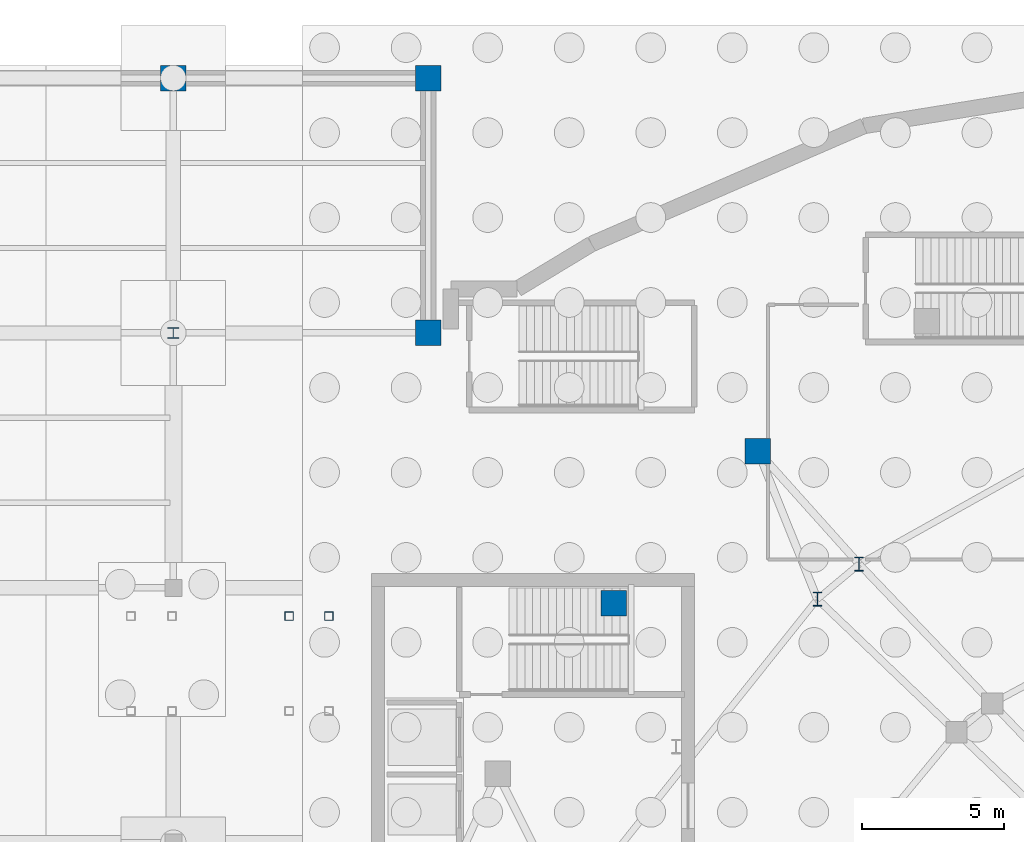
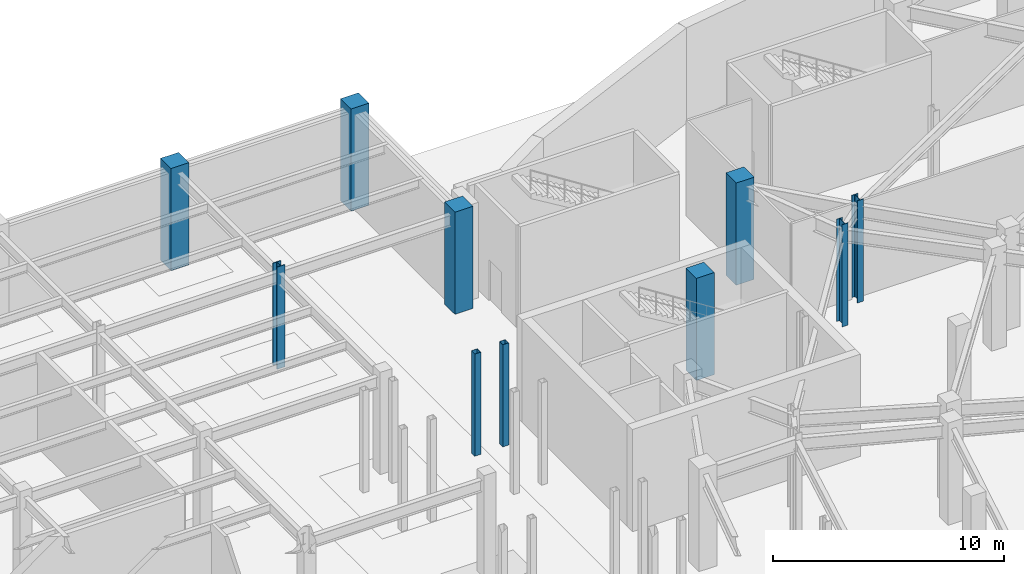
# One storey, part 20 of 56: 10 columns.
"""IFC4 building model written with IfcOpenShell, lengths in metres."""

from ifc_helpers import new_model, si_unit, direction, frame, origin, origin_2d, place, context, subcontext, project, spatial, rectangle, hollow_rectangle, i_section, extrude, material, material_profile, profile_set, type_object, element, save


model = new_model("IFC4")

# Units and contexts
model_context = context("Model", 3, precision=1e-05, world=origin(), true_north=direction((0.0, 1.0)))
body_context = subcontext(model_context, "Body", "Model", "MODEL_VIEW")
ifc_project = project(units=[si_unit("LENGTHUNIT", "METRE"), si_unit("AREAUNIT", "SQUARE_METRE"), si_unit("VOLUMEUNIT", "CUBIC_METRE"), si_unit("PLANEANGLEUNIT", "RADIAN"), si_unit("MASSUNIT", "GRAM", prefix="KILO")], contexts=[model_context])

# Site, building, storey
site_placement = place(None, origin())
site = spatial("IfcSite", under=ifc_project, at=site_placement, CompositionType="ELEMENT")
building_placement = place(site_placement, origin())
building = spatial("IfcBuilding", under=site, at=building_placement, Name="Glasvene Arena", CompositionType="ELEMENT")
storey_placement = place(building_placement, frame((0.0, 0.0, -5.39990234375)))
storey = spatial("IfcBuildingStorey", under=building, at=storey_placement, Name="B1", CompositionType="ELEMENT", Elevation=-5.39990234375)

# Columns
ifc_material_1 = material(Name="Concrete C40/50", Category="concrete")
ifc_material_profile_1 = material_profile(ifc_material_1, rectangle(XDim=0.89990234375, YDim=0.89990234375, at=origin_2d()), Name="RC 900x900")
ifc_profile_set_1 = profile_set([ifc_material_profile_1], Name="Concrete C40/50")
column_type_1 = type_object("IfcColumnType", Name="COL-BOWL-RC900", PredefinedType="COLUMN", material=ifc_profile_set_1)
for number, where, z_axis, x_axis, name in (
    (1, (56.644775390625, 104.81982421875, 0.0), (0.0, 0.0, 1.0), (1.0, 0.0, 0.0), "Bowl ring column R16 B1"),
    (2, (51.54931640625, 99.4501953125, 0.0), (0.0, 0.0, 1.0), (1.0, 0.0, 0.0), "Bowl ring column R17 B1"),
    (3, (36.0, 118.0, 0.0), (0.0, 0.0, 1.0), (1.0, 0.0, 0.0), "Grid column 5-14 B1"),
    (4, (45.0, 109.0, 0.0), (0.0, 0.0, 1.0), (1.0, 0.0, 0.0), "Grid column 6-13 B1"),
    (5, (45.0, 118.0, 0.0), (0.0, 0.0, 1.0), (1.0, 0.0, 0.0), "Grid column 6-14 B1"),
):
    element("IfcColumn", number, at=place(storey_placement, frame(where, z_axis=z_axis, x_axis=x_axis)), inside=storey, type_object=column_type_1, Name=name, PredefinedType="COLUMN", context=body_context, shape_type="SweptSolid", body=[
        extrude(rectangle(XDim=0.89990234375, YDim=0.89990234375, at=origin_2d()), origin(), (0.0, 0.0, 1.0), 5.39990234375),
    ])
ifc_material_2 = material(Name="Steel S355J2", Category="steel")
ifc_material_profile_2 = material_profile(ifc_material_2, i_section(OverallWidth=0.300048828125, OverallDepth=0.5, WebThickness=0.014404296875, FlangeThickness=0.028076171875, FilletRadius=0.027099609375, at=origin_2d()), Name="HEB 500")
ifc_profile_set_2 = profile_set([ifc_material_profile_2], Name="Steel S355J2")
column_type_2 = type_object("IfcColumnType", Name="COL-W-HEB500", PredefinedType="COLUMN", material=ifc_profile_set_2)
for number, where, z_axis, x_axis, name in (
    (6, (60.219482421875, 100.834228515625, 0.0), (0.0, 0.0, 1.0), (1.0, 0.0, 0.0), "Upper raker rear column B1 06-2"),
    (7, (58.743408203125, 99.59912109375, 0.0), (0.0, 0.0, 1.0), (1.0, 0.0, 0.0), "Upper raker rear column B1 07-1"),
):
    element("IfcColumn", number, at=place(storey_placement, frame(where, z_axis=z_axis, x_axis=x_axis)), inside=storey, type_object=column_type_2, Name=name, PredefinedType="COLUMN", context=body_context, shape_type="SweptSolid", body=[
        extrude(i_section(OverallWidth=0.300048828125, OverallDepth=0.5, WebThickness=0.014404296875, FlangeThickness=0.028076171875, FilletRadius=0.027099609375, at=origin_2d()), origin(), (0.0, 0.0, 1.0), 5.39990234375),
    ])
ifc_material_profile_3 = material_profile(ifc_material_2, hollow_rectangle(XDim=0.300048828125, YDim=0.300048828125, WallThickness=0.012451171875, at=origin_2d()), Name="SHS 300x300x12.5")
ifc_profile_set_3 = profile_set([ifc_material_profile_3], Name="Steel S355J2")
column_type_3 = type_object("IfcColumnType", Name="COL-W-SHS300", PredefinedType="COLUMN", material=ifc_profile_set_3)
for number, where, z_axis, x_axis, name in (
    (8, (40.090087890625, 99.0, 0.0), (0.0, 0.0, 1.0), (1.0, 0.0, 0.0), "Vomitory landing column VOM-06 B1"),
    (9, (41.489990234375, 99.0, 0.0), (0.0, 0.0, 1.0), (1.0, 0.0, 0.0), "Vomitory landing column VOM-06 B1"),
):
    element("IfcColumn", number, at=place(storey_placement, frame(where, z_axis=z_axis, x_axis=x_axis)), inside=storey, type_object=column_type_3, Name=name, PredefinedType="COLUMN", context=body_context, shape_type="SweptSolid", body=[
        extrude(hollow_rectangle(XDim=0.300048828125, YDim=0.300048828125, WallThickness=0.012451171875, at=origin_2d()), origin(), (0.0, 0.0, 1.0), 5.39990234375),
    ])
ifc_material_profile_4 = material_profile(ifc_material_2, i_section(OverallWidth=0.394775390625, OverallDepth=0.381103515625, WebThickness=0.018310546875, FlangeThickness=0.0302734375, FilletRadius=0.01513671875, at=origin_2d()), Name="UKC 356x406x235")
ifc_profile_set_4 = profile_set([ifc_material_profile_4], Name="Steel S355J2")
column_type_4 = type_object("IfcColumnType", Name="COL-W-UKC235", PredefinedType="COLUMN", material=ifc_profile_set_4)
column_placement = place(storey_placement, frame((36.0, 109.0, 0.0), z_axis=(0.0, 0.0, 1.0), x_axis=(1.0, 0.0, 0.0)))
element("IfcColumn", 10, at=column_placement, inside=storey, type_object=column_type_4, Name="Grid column 5-13 B1", PredefinedType="COLUMN", context=body_context, shape_type="SweptSolid", body=[
    extrude(i_section(OverallWidth=0.394775390625, OverallDepth=0.381103515625, WebThickness=0.018310546875, FlangeThickness=0.0302734375, FilletRadius=0.01513671875, at=origin_2d()), origin(), (0.0, 0.0, 1.0), 5.39990234375),
])

save(model, "model.ifc")
